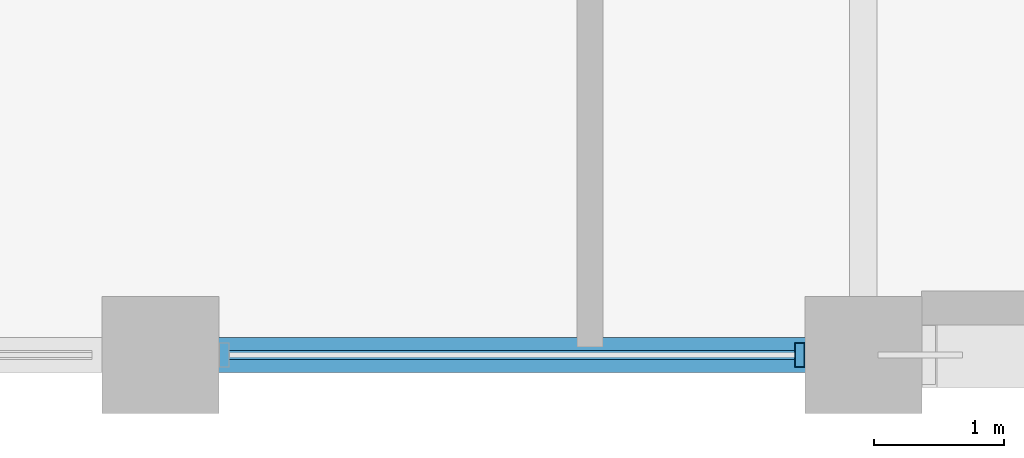
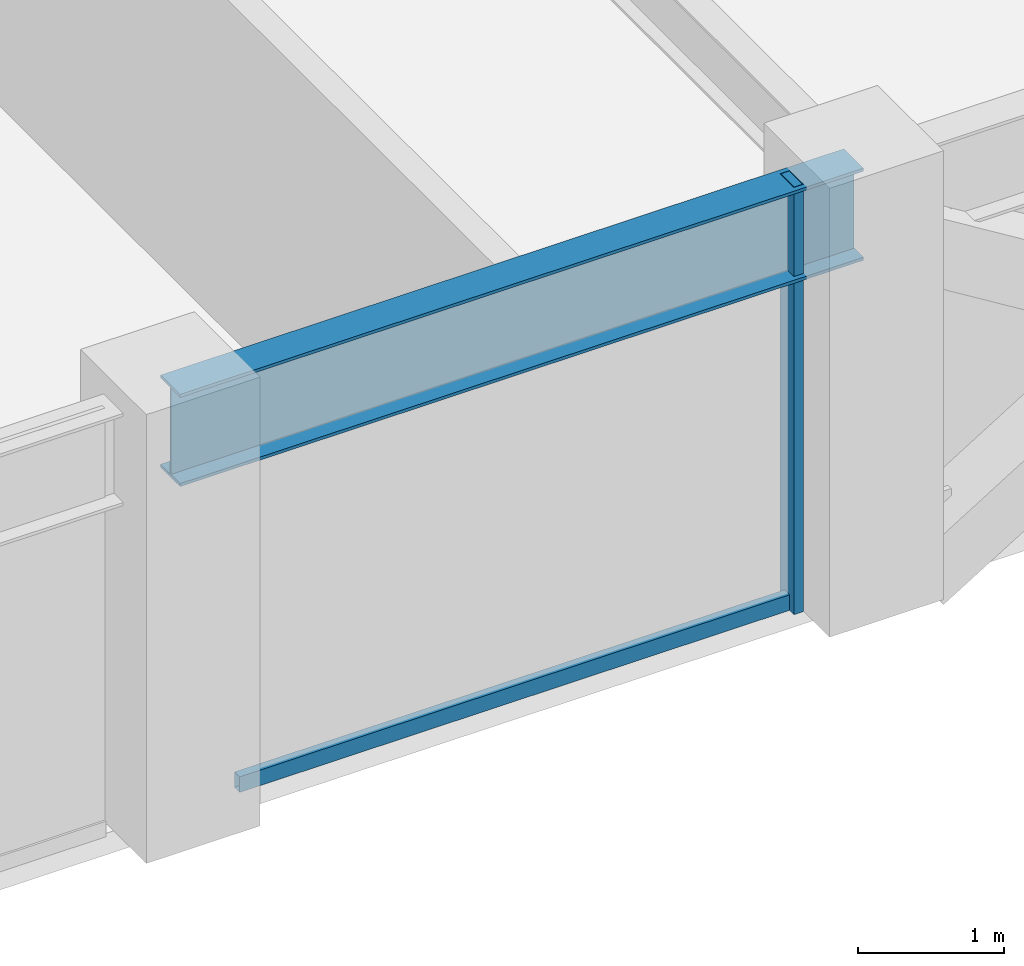
# One storey, part 3 of 32: 2 members, 1 beam, 1 element without a shape of its own.
"""IFC4 building model written with IfcOpenShell, lengths in metres."""

from ifc_helpers import new_model, si_unit, direction, frame, origin, origin_2d, place, context, subcontext, project, spatial, hollow_rectangle, i_section, extrude, material, layer, layer_set, material_profile, profile_set, type_object, element, aggregate, save


model = new_model("IFC4")

# Units and contexts
model_context = context("Model", 3, precision=1e-05, world=origin(), true_north=direction((0.0, 1.0)))
body_context = subcontext(model_context, "Body", "Model", "MODEL_VIEW")
ifc_project = project(units=[si_unit("LENGTHUNIT", "METRE"), si_unit("AREAUNIT", "SQUARE_METRE"), si_unit("VOLUMEUNIT", "CUBIC_METRE"), si_unit("PLANEANGLEUNIT", "RADIAN"), si_unit("MASSUNIT", "GRAM", prefix="KILO")], contexts=[model_context])

# Site, building, storey
site_placement = place(None, origin())
site = spatial("IfcSite", under=ifc_project, at=site_placement, CompositionType="ELEMENT")
building_placement = place(site_placement, origin())
building = spatial("IfcBuilding", under=site, at=building_placement, Name="Surkhivell Harbour Commons", CompositionType="ELEMENT")
storey_placement = place(building_placement, frame((0.0, 0.0, 201.0)))
storey = spatial("IfcBuildingStorey", under=building, at=storey_placement, Name="L52", CompositionType="ELEMENT", Elevation=201.0)

# Beam
ifc_material_1 = material(Name="Steel S355", Category="steel")
ifc_material_profile_1 = material_profile(ifc_material_1, i_section(OverallWidth=0.26806640625, OverallDepth=0.77001953125, WebThickness=0.015625, FlangeThickness=0.025390625, at=origin_2d()), Name="UB762x267x197")
ifc_profile_set_1 = profile_set([ifc_material_profile_1], Name="Steel S355")
beam_type = type_object("IfcBeamType", Name="BM-SPN-762", PredefinedType="SPANDREL", material=ifc_profile_set_1)
beam_placement = place(storey_placement, frame((-16.199951171875, -21.60009765625, 3.18505859375), z_axis=(1.0, 0.0, 0.0), x_axis=(0.0, 1.0, 0.0)))
element("IfcBeam", 1, at=beam_placement, inside=storey, type_object=beam_type, Name="L52 Tube Spandrel (-16.2,-21.6)", PredefinedType="SPANDREL", context=body_context, shape_type="SweptSolid", body=[
    extrude(i_section(OverallWidth=0.26806640625, OverallDepth=0.77001953125, WebThickness=0.015625, FlangeThickness=0.025390625, at=origin_2d()), origin(), (0.0, 0.0, 1.0), 5.39990234375),
])

# Curtain wall, members
ifc_material_2 = material(Name="Anodised pale-metal aluminium and insulated glazing", Category="aluminium")
ifc_layer = layer(ifc_material_2, 0.18994140625)
ifc_layer_set = layer_set([ifc_layer], Name="Anodised pale-metal aluminium and insulated glazing")
curtain_wall_type = type_object("IfcCurtainWallType", Name="CW-SYS-Z3", PredefinedType="NOTDEFINED", material=ifc_layer_set)
curtain_wall_placement = place(storey_placement, origin())
curtain_wall = element("IfcCurtainWall", 2, at=curtain_wall_placement, inside=storey, type_object=curtain_wall_type, Name="L52 Curtain Wall CW-L52-E00S1", PredefinedType="NOTDEFINED")
ifc_material_3 = material(Name="Anodised pale-metal aluminium alloy 6063-T6", Category="aluminium")
ifc_material_profile_2 = material_profile(ifc_material_3, hollow_rectangle(XDim=0.074951171875, YDim=0.18994140625, WallThickness=0.00390625, at=origin_2d()), Name="ALU-MULL-75x190")
ifc_profile_set_2 = profile_set([ifc_material_profile_2], Name="Anodised pale-metal aluminium alloy 6063-T6")
member_type_1 = type_object("IfcMemberType", Name="CWM-190", PredefinedType="MULLION", material=ifc_profile_set_2)
member_1_placement = place(storey_placement, frame((-11.28955078125, -21.60009765625, 0.0), z_axis=(0.0, 0.0, 1.0), x_axis=(1.0, 0.0, 0.0)))
member_1 = element("IfcMember", 3, at=member_1_placement, type_object=member_type_1, Name="CW-Z3 mullion 3", PredefinedType="MULLION", context=body_context, shape_type="SweptSolid", body=[
    extrude(hollow_rectangle(XDim=0.074951171875, YDim=0.18994140625, WallThickness=0.00390625, at=origin_2d()), origin(), (0.0, 0.0, 1.0), 3.570068359375),
])
ifc_material_4 = material(Name="Champagne anodised aluminium alloy 6063-T6", Category="aluminium")
ifc_material_profile_3 = material_profile(ifc_material_4, hollow_rectangle(XDim=0.070068359375, YDim=0.1298828125, WallThickness=0.00341796875, at=origin_2d()), Name="ALU-TRAN-70x130")
ifc_profile_set_3 = profile_set([ifc_material_profile_3], Name="Champagne anodised aluminium alloy 6063-T6")
member_type_2 = type_object("IfcMemberType", Name="CWT-130", PredefinedType="USERDEFINED", material=ifc_profile_set_3)
member_2_placement = place(storey_placement, frame((-15.673095703125, -21.60009765625, 0.06494140625), z_axis=(1.0, 0.0, 0.0), x_axis=(0.0, 1.0, 0.0)))
member_2 = element("IfcMember", 4, at=member_2_placement, type_object=member_type_2, Name="CW-Z3 transom 2.1", ObjectType="TRANSOM", PredefinedType="USERDEFINED", context=body_context, shape_type="SweptSolid", body=[
    extrude(hollow_rectangle(XDim=0.070068359375, YDim=0.1298828125, WallThickness=0.00341796875, at=origin_2d()), origin(), (0.0, 0.0, 1.0), 4.34619140625),
])
aggregate(curtain_wall, [member_1, member_2])

save(model, "model.ifc")
